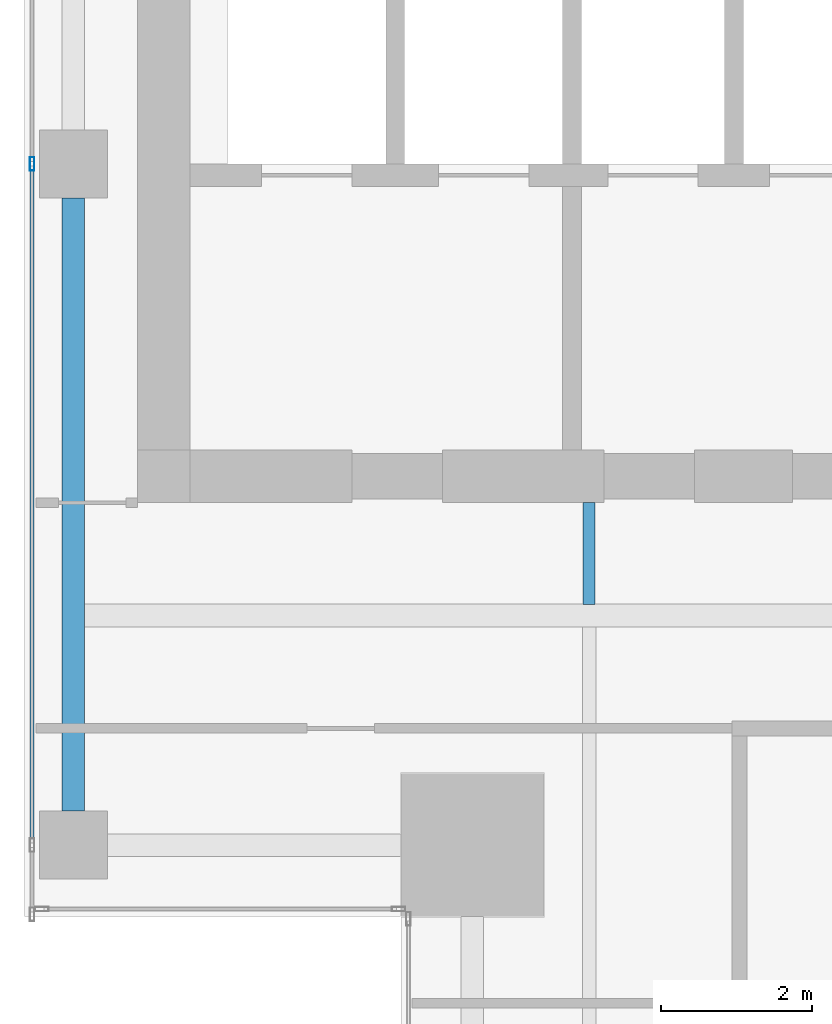
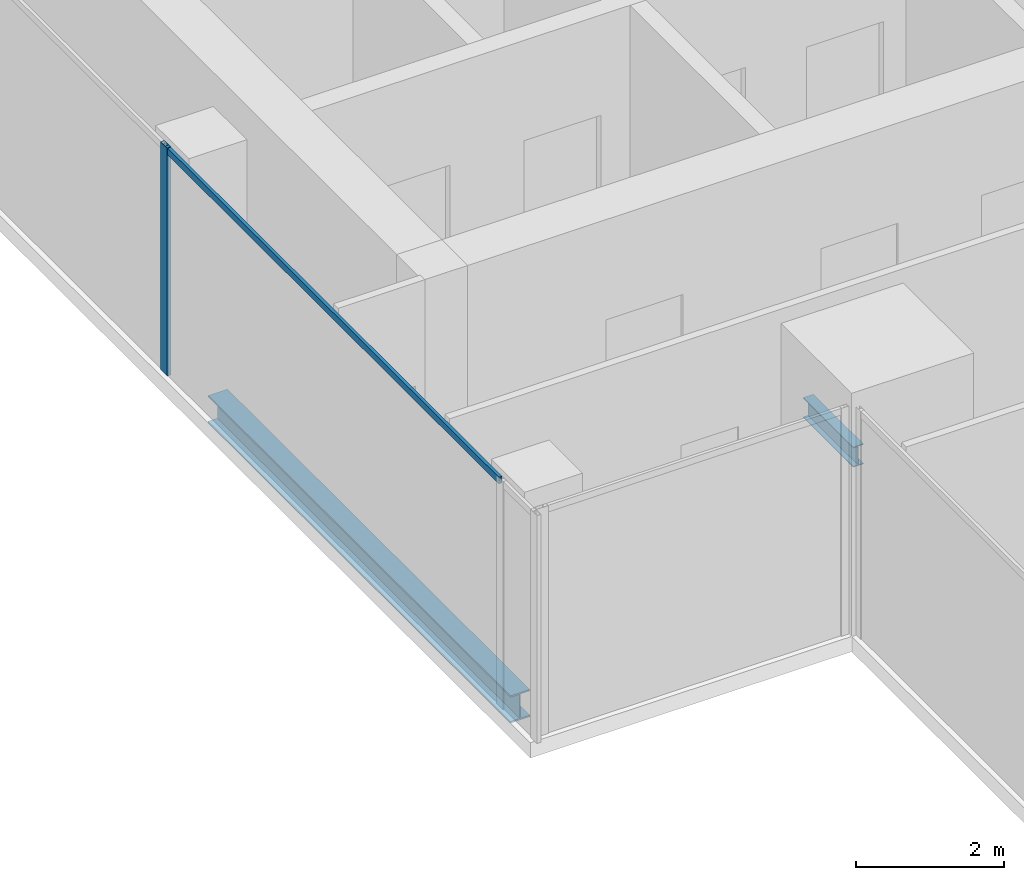
# One storey, part 4 of 36: 2 beams, 2 members, 1 element without a shape of its own.
"""IFC4 building model written with IfcOpenShell, lengths in metres."""

from ifc_helpers import new_model, si_unit, direction, frame, origin, origin_2d, place, context, subcontext, project, spatial, hollow_rectangle, i_section, extrude, source, transform, mapped, material, material_profile, profile_set, type_object, element, aggregate, save


model = new_model("IFC4")

# Units and contexts
model_context = context("Model", 3, precision=1e-05, world=origin(), true_north=direction((0.0, 1.0)))
body_context = subcontext(model_context, "Body", "Model", "MODEL_VIEW")
ifc_project = project(units=[si_unit("LENGTHUNIT", "METRE"), si_unit("AREAUNIT", "SQUARE_METRE"), si_unit("VOLUMEUNIT", "CUBIC_METRE"), si_unit("PLANEANGLEUNIT", "RADIAN"), si_unit("MASSUNIT", "GRAM", prefix="KILO")], contexts=[model_context])

# Site, building, storey
site_placement = place(None, origin())
site = spatial("IfcSite", under=ifc_project, at=site_placement, CompositionType="ELEMENT")
building_placement = place(site_placement, origin())
building = spatial("IfcBuilding", under=site, at=building_placement, Name="Khomas Fold Tower", CompositionType="ELEMENT")
storey_placement = place(building_placement, frame((0.0, 0.0, 230.199951171875)))
storey = spatial("IfcBuildingStorey", under=building, at=storey_placement, Name="L51", CompositionType="ELEMENT", Elevation=230.199951171875)

# Beams
ifc_material_1 = material(Name="Steel S355", Category="steel")
ifc_material_profile_1 = material_profile(ifc_material_1, i_section(OverallWidth=0.159912109375, OverallDepth=0.330078125, WebThickness=0.007568359375, FlangeThickness=0.011474609375, at=origin_2d()), Name="IPE 330")
ifc_profile_set_1 = profile_set([ifc_material_profile_1], Name="Steel S355")
beam_type_1 = type_object("IfcBeamType", Name="IPE 330 beam JB1", PredefinedType="BEAM", material=ifc_profile_set_1)
shared_shape_1 = source(origin(), body_context, "Body", "SweptSolid", [
    extrude(i_section(OverallWidth=0.159912109375, OverallDepth=0.330078125, WebThickness=0.007568359375, FlangeThickness=0.011474609375, at=origin_2d()), origin(), (0.0, 0.0, 1.0), 1.35009765625),
])
beam_1_placement = place(storey_placement, frame((12.0, 13.64990234375, -0.4150390625), z_axis=(0.0, 1.0, 0.0), x_axis=(-1.0, 0.0, 0.0)))
element("IfcBeam", 1, at=beam_1_placement, inside=storey, type_object=beam_type_1, Name="JB1", PredefinedType="BEAM", context=body_context, shape_type="MappedRepresentation", body=[
    mapped(shared_shape_1, transform((0.0, 0.0, 0.0))),
])
ifc_material_2 = material(Name="Steel S355", Category="steel")
ifc_material_profile_2 = material_profile(ifc_material_2, i_section(OverallWidth=0.300048828125, OverallDepth=0.449951171875, WebThickness=0.013916015625, FlangeThickness=0.02587890625, at=origin_2d()), Name="HE 450 B")
ifc_profile_set_2 = profile_set([ifc_material_profile_2], Name="Steel S355")
beam_type_2 = type_object("IfcBeamType", Name="HE 450 B spandrel SB4", PredefinedType="SPANDREL", material=ifc_profile_set_2)
shared_shape_2 = source(origin(), body_context, "Body", "SweptSolid", [
    extrude(i_section(OverallWidth=0.300048828125, OverallDepth=0.449951171875, WebThickness=0.013916015625, FlangeThickness=0.02587890625, at=origin_2d()), origin(), (0.0, 0.0, 1.0), 8.150146484375),
])
beam_2_placement = place(storey_placement, frame((5.14990234375, 10.89990234375, -0.474853515625), z_axis=(0.0, 1.0, 0.0), x_axis=(-1.0, 0.0, 0.0)))
element("IfcBeam", 2, at=beam_2_placement, inside=storey, type_object=beam_type_2, Name="SB4", PredefinedType="SPANDREL", context=body_context, shape_type="MappedRepresentation", body=[
    mapped(shared_shape_2, transform((0.0, 0.0, 0.0))),
])

# Curtain wall, members
ifc_material_3 = material(Name="Aluminium framed double glazing", Category="aluminium")
curtain_wall_type = type_object("IfcCurtainWallType", Name="SK-Unitised clear-glass wall, office floors CW2", PredefinedType="NOTDEFINED", material=ifc_material_3)
curtain_wall_placement = place(storey_placement, origin())
curtain_wall = element("IfcCurtainWall", 3, at=curtain_wall_placement, inside=storey, type_object=curtain_wall_type, Name="CW2 run L51 09-0", PredefinedType="NOTDEFINED")
ifc_material_4 = material(Name="Aluminium", Category="aluminium")
ifc_material_profile_3 = material_profile(ifc_material_4, hollow_rectangle(XDim=0.06005859375, YDim=0.179931640625, WallThickness=0.00390625, at=origin_2d()), Name="SK-Unitised clear-glass wall, office floors mullion CW2-M")
ifc_profile_set_3 = profile_set([ifc_material_profile_3], Name="Aluminium")
member_type_1 = type_object("IfcMemberType", Name="SK-Unitised clear-glass wall, office floors mullion CW2-M", PredefinedType="MULLION", material=ifc_profile_set_3)
shared_shape_3 = source(origin(), body_context, "Body", "SweptSolid", [
    extrude(hollow_rectangle(XDim=0.06005859375, YDim=0.179931640625, WallThickness=0.00390625, at=origin_2d()), origin(), (0.0, 0.0, 1.0), 3.75),
])
member_1_placement = place(storey_placement, frame((4.60009765625, 19.5, 0.0), z_axis=(0.0, 0.0, 1.0), x_axis=(1.0, 0.0, 0.0)))
member_1 = element("IfcMember", 4, at=member_1_placement, type_object=member_type_1, Name="CW2 mullion 5", PredefinedType="MULLION", context=body_context, shape_type="MappedRepresentation", body=[
    mapped(shared_shape_3, transform((0.0, 0.0, 0.0))),
])
ifc_material_5 = material(Name="Aluminium", Category="aluminium")
ifc_material_profile_4 = material_profile(ifc_material_5, hollow_rectangle(XDim=0.050048828125, YDim=0.110107421875, WallThickness=0.00390625, at=origin_2d()), Name="SK-Unitised clear-glass wall, office floors transom CW2-T")
ifc_profile_set_4 = profile_set([ifc_material_profile_4], Name="Aluminium")
member_type_2 = type_object("IfcMemberType", Name="SK-Unitised clear-glass wall, office floors transom CW2-T", PredefinedType="USERDEFINED", material=ifc_profile_set_4)
shared_shape_4 = source(origin(), body_context, "Body", "SweptSolid", [
    extrude(hollow_rectangle(XDim=0.050048828125, YDim=0.110107421875, WallThickness=0.00390625, at=origin_2d()), origin(), (0.0, 0.0, 1.0), 8.989990234375),
])
member_2_placement = place(storey_placement, frame((4.60009765625, 19.469970703125, 3.695068359375), z_axis=(0.0, -1.0, 0.0), x_axis=(1.0, 0.0, 0.0)))
member_2 = element("IfcMember", 5, at=member_2_placement, type_object=member_type_2, Name="CW2 transom 5", ObjectType="TRANSOM", PredefinedType="USERDEFINED", context=body_context, shape_type="MappedRepresentation", body=[
    mapped(shared_shape_4, transform((0.0, 0.0, 0.0))),
])
aggregate(curtain_wall, [member_1, member_2])

save(model, "model.ifc")
